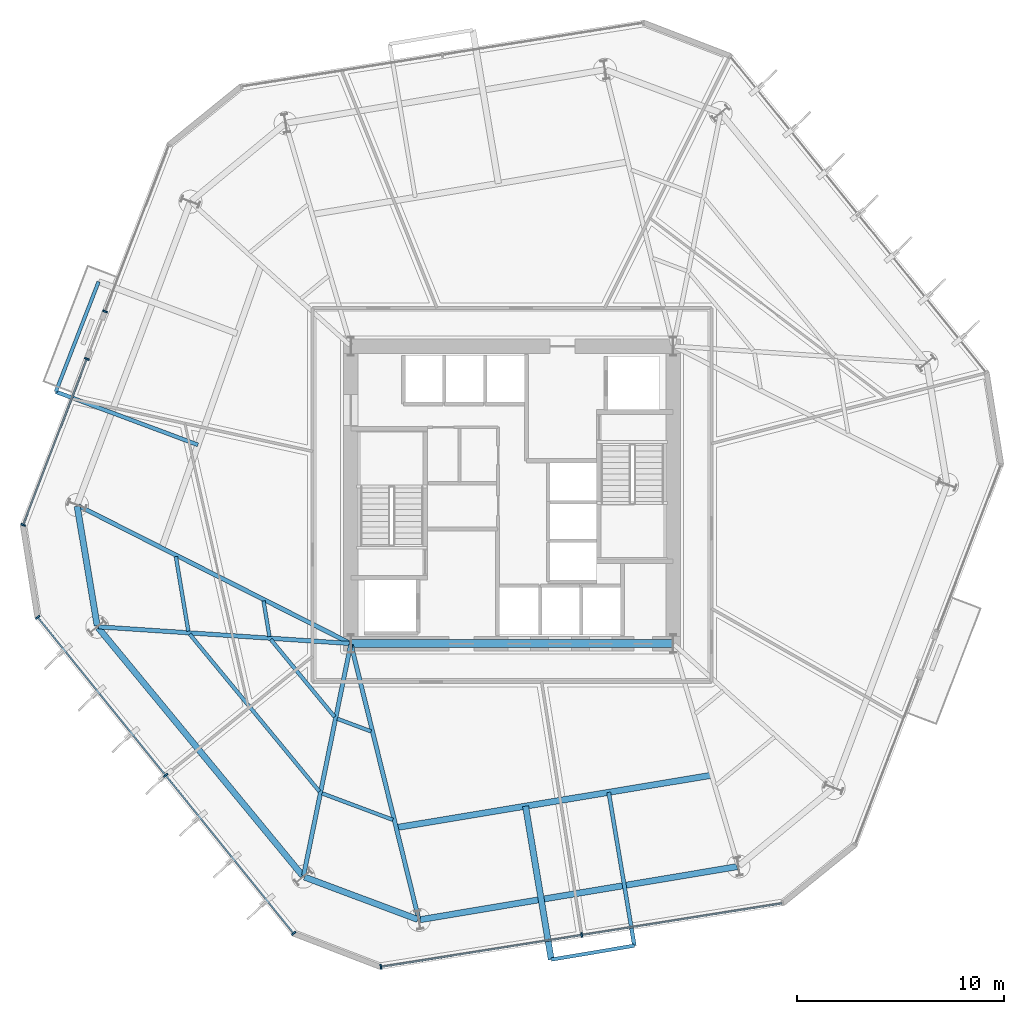
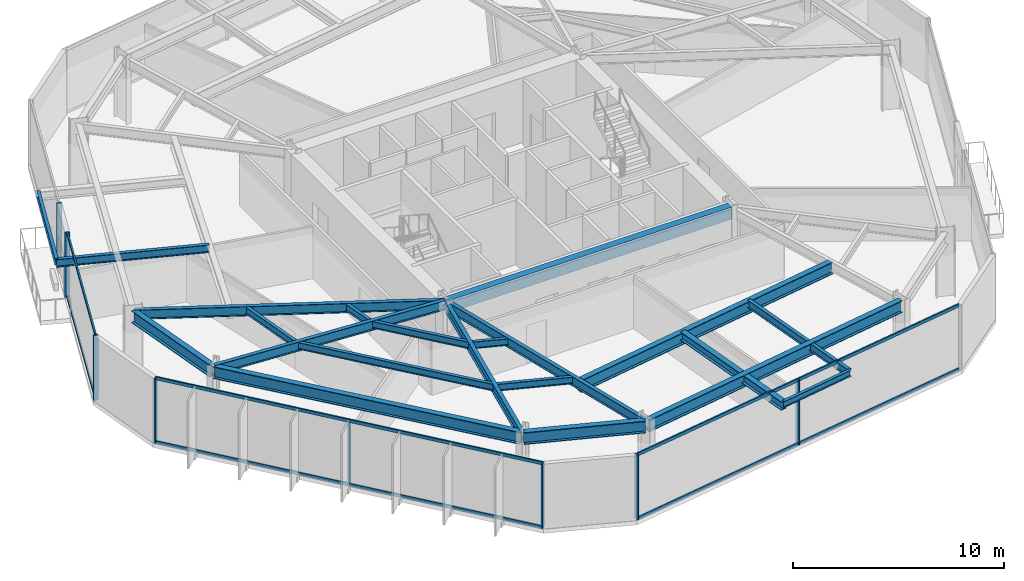
# One storey, part 2 of 11: 21 beams, 18 members, 4 elements without a shape of their own.
"""IFC4 building model written with IfcOpenShell, lengths in metres."""

from ifc_helpers import new_model, si_unit, direction, frame, origin, origin_2d, place, context, subcontext, project, spatial, rectangle, i_section, extrude, material, layer, layer_set, material_profile, profile_set, type_object, element, aggregate, save


model = new_model("IFC4")

# Units and contexts
model_context = context("Model", 3, precision=1e-05, world=origin(), true_north=direction((0.0, 1.0)))
body_context = subcontext(model_context, "Body", "Model", "MODEL_VIEW")
ifc_project = project(units=[si_unit("LENGTHUNIT", "METRE"), si_unit("AREAUNIT", "SQUARE_METRE"), si_unit("VOLUMEUNIT", "CUBIC_METRE"), si_unit("PLANEANGLEUNIT", "RADIAN"), si_unit("MASSUNIT", "GRAM", prefix="KILO")], contexts=[model_context])

# Site, building, storey
site_placement = place(None, origin())
site = spatial("IfcSite", under=ifc_project, at=site_placement, CompositionType="ELEMENT")
building_placement = place(site_placement, origin())
building = spatial("IfcBuilding", under=site, at=building_placement, Name="Kranzbogen Civic Tower", CompositionType="ELEMENT")
storey_placement = place(building_placement, frame((0.0, 0.0, 56.0)))
storey = spatial("IfcBuildingStorey", under=building, at=storey_placement, Name="L13", CompositionType="ELEMENT", Elevation=56.0)

# Beams
ifc_material_1 = material(Name="Steel S355", Category="steel")
ifc_material_profile_1 = material_profile(ifc_material_1, i_section(OverallWidth=0.18994140625, OverallDepth=0.449951171875, WebThickness=0.009521484375, FlangeThickness=0.0146484375, at=origin_2d()), Name="IPE 450")
ifc_profile_set_1 = profile_set([ifc_material_profile_1], Name="Steel S355")
beam_type_1 = type_object("IfcBeamType", Name="Braced Terrace Edge Beam IPE 450", PredefinedType="BEAM", material=ifc_profile_set_1)
beam_1_placement = place(storey_placement, frame((29.681884765625, 10.59912109375, 3.52490234375), z_axis=(0.165067088303, -0.986282341097, 0.0), x_axis=(0.986282341097, 0.165067088303, 0.0)))
element("IfcBeam", 1, at=beam_1_placement, inside=storey, type_object=beam_type_1, Name="L14 back-spanned terrace beam L14-TB1-2", PredefinedType="BEAM", context=body_context, shape_type="SweptSolid", body=[
    extrude(i_section(OverallWidth=0.18994140625, OverallDepth=0.449951171875, WebThickness=0.009521484375, FlangeThickness=0.0146484375, at=origin_2d()), origin(), (0.0, 0.0, 1.0), 7.525390625),
])
beam_2_placement = place(storey_placement, frame((9.800048828125, 27.41796875, 3.4951171875), z_axis=(-0.936720526199, 0.350078071003, 0.0), x_axis=(-0.350078071003, -0.936720526199, 0.0)))
element("IfcBeam", 2, at=beam_2_placement, inside=storey, type_object=beam_type_1, Name="L14 back-spanned terrace beam L14-ST-2", PredefinedType="BEAM", context=body_context, shape_type="SweptSolid", body=[
    extrude(i_section(OverallWidth=0.18994140625, OverallDepth=0.449951171875, WebThickness=0.009521484375, FlangeThickness=0.0146484375, at=origin_2d()), origin(), (0.0, 0.0, 1.0), 7.346923828125),
])
ifc_material_2 = material(Name="Concrete C40/50", Category="concrete")
ifc_material_profile_2 = material_profile(ifc_material_2, rectangle(XDim=0.39990234375, YDim=0.699951171875, at=origin_2d()), Name="RC-BM 400x700")
ifc_profile_set_2 = profile_set([ifc_material_profile_2], Name="Concrete C40/50")
beam_type_2 = type_object("IfcBeamType", Name="Core Coupling Lintel Beam 400x700", PredefinedType="LINTEL", material=ifc_profile_set_2)
beam_3_placement = place(storey_placement, frame((17.199951171875, 17.800048828125, 3.409912109375), z_axis=(1.0, 0.0, 0.0), x_axis=(0.0, 1.0, 0.0)))
element("IfcBeam", 3, at=beam_3_placement, inside=storey, type_object=beam_type_2, Name="L13 core South coupling lintel beam", PredefinedType="LINTEL", context=body_context, shape_type="SweptSolid", body=[
    extrude(rectangle(XDim=0.39990234375, YDim=0.699951171875, at=origin_2d()), origin(), (0.0, 0.0, 1.0), 15.60009765625),
])

# Curtain wall, member
ifc_material_3 = material(Name="Pale Anodised Aluminium", Category="aluminium")
ifc_layer = layer(ifc_material_3, 0.219970703125, Name="Pale Anodised Aluminium")
ifc_layer_set = layer_set([ifc_layer], Name="Pale Anodised Aluminium")
curtain_wall_type = type_object("IfcCurtainWallType", Name="Zone 1 Stick Curtain Wall System CW-02", PredefinedType="USERDEFINED", material=ifc_layer_set)
curtain_wall_1_placement = place(storey_placement, origin())
curtain_wall_1 = element("IfcCurtainWall", 4, at=curtain_wall_1_placement, inside=storey, type_object=curtain_wall_type, Name="L13 curtain wall CW-L13-F3-S1", ObjectType="STICK CURTAIN WALL", PredefinedType="USERDEFINED")
ifc_material_profile_3 = material_profile(ifc_material_3, rectangle(XDim=0.080078125, YDim=0.239990234375, at=origin_2d()), Name="ALU-M 80x240")
ifc_profile_set_3 = profile_set([ifc_material_profile_3], Name="Pale Anodised Aluminium")
member_type_1 = type_object("IfcMemberType", Name="Curtain Wall Mullion ALU-M 80x240", PredefinedType="MULLION", material=ifc_profile_set_3)
member_1_placement = place(storey_placement, frame((5.30078125, 33.87890625, 0.0), z_axis=(0.0, 0.0, 1.0), x_axis=(-0.358391745833, -0.93357129161, 0.0)))
member_1 = element("IfcMember", 5, at=member_1_placement, type_object=member_type_1, Name="CW-02 mullion 2", PredefinedType="MULLION", context=body_context, shape_type="SweptSolid", body=[
    extrude(rectangle(XDim=0.080078125, YDim=0.239990234375, at=origin_2d()), origin(), (0.0, 0.0, 1.0), 3.760009765625),
])
aggregate(curtain_wall_1, [member_1])

# Curtain wall, members
curtain_wall_2_placement = place(storey_placement, origin())
curtain_wall_2 = element("IfcCurtainWall", 6, at=curtain_wall_2_placement, inside=storey, type_object=curtain_wall_type, Name="L13 curtain wall CW-L13-F3-S2", ObjectType="STICK CURTAIN WALL", PredefinedType="USERDEFINED")
member_2_placement = place(storey_placement, frame((4.419189453125, 31.58203125, 0.0), z_axis=(0.0, 0.0, 1.0), x_axis=(-0.35832981626, -0.933595063601, 0.0)))
member_2 = element("IfcMember", 7, at=member_2_placement, type_object=member_type_1, Name="CW-02 mullion 1", PredefinedType="MULLION", context=body_context, shape_type="SweptSolid", body=[
    extrude(rectangle(XDim=0.080078125, YDim=0.239990234375, at=origin_2d()), origin(), (0.0, 0.0, 1.0), 3.760009765625),
])
member_3_placement = place(storey_placement, frame((1.333740234375, 23.54296875, 0.0), z_axis=(0.0, 0.0, 1.0), x_axis=(-0.35832981626, -0.933595063601, 0.0)))
member_3 = element("IfcMember", 8, at=member_3_placement, type_object=member_type_1, Name="CW-02 mullion 2", PredefinedType="MULLION", context=body_context, shape_type="SweptSolid", body=[
    extrude(rectangle(XDim=0.080078125, YDim=0.239990234375, at=origin_2d()), origin(), (0.0, 0.0, 1.0), 3.760009765625),
])

curtain_wall_3_placement = place(storey_placement, origin())
curtain_wall_3 = element("IfcCurtainWall", 9, at=curtain_wall_3_placement, inside=storey, type_object=curtain_wall_type, Name="L13 curtain wall CW-L13-F4", ObjectType="STICK CURTAIN WALL", PredefinedType="USERDEFINED")
member_4_placement = place(storey_placement, frame((2.0419921875, 19.07275390625, 0.0), z_axis=(0.0, 0.0, 1.0), x_axis=(0.629255050274, -0.777198868826, 0.0)))
member_4 = element("IfcMember", 10, at=member_4_placement, type_object=member_type_1, Name="CW-02 mullion 1", PredefinedType="MULLION", context=body_context, shape_type="SweptSolid", body=[
    extrude(rectangle(XDim=0.080078125, YDim=0.239990234375, at=origin_2d()), origin(), (0.0, 0.0, 1.0), 3.760009765625),
])
member_5_placement = place(storey_placement, frame((8.235107421875, 11.423583984375, 0.0), z_axis=(0.0, 0.0, 1.0), x_axis=(0.629255050274, -0.777198868826, 0.0)))
member_5 = element("IfcMember", 11, at=member_5_placement, type_object=member_type_1, Name="CW-02 mullion 2", PredefinedType="MULLION", context=body_context, shape_type="SweptSolid", body=[
    extrude(rectangle(XDim=0.080078125, YDim=0.239990234375, at=origin_2d()), origin(), (0.0, 0.0, 1.0), 3.760009765625),
])
member_6_placement = place(storey_placement, frame((14.42822265625, 3.7744140625, 0.0), z_axis=(0.0, 0.0, 1.0), x_axis=(0.629255050274, -0.777198868826, 0.0)))
member_6 = element("IfcMember", 12, at=member_6_placement, type_object=member_type_1, Name="CW-02 mullion 3", PredefinedType="MULLION", context=body_context, shape_type="SweptSolid", body=[
    extrude(rectangle(XDim=0.080078125, YDim=0.239990234375, at=origin_2d()), origin(), (0.0, 0.0, 1.0), 3.760009765625),
])

curtain_wall_4_placement = place(storey_placement, origin())
curtain_wall_4 = element("IfcCurtainWall", 13, at=curtain_wall_4_placement, inside=storey, type_object=curtain_wall_type, Name="L13 curtain wall CW-L13-F5", ObjectType="STICK CURTAIN WALL", PredefinedType="USERDEFINED")
member_7_placement = place(storey_placement, frame((18.653564453125, 2.15380859375, 0.0), z_axis=(0.0, 0.0, 1.0), x_axis=(0.987686880029, 0.156443686412, 0.0)))
member_7 = element("IfcMember", 14, at=member_7_placement, type_object=member_type_1, Name="CW-02 mullion 1", PredefinedType="MULLION", context=body_context, shape_type="SweptSolid", body=[
    extrude(rectangle(XDim=0.080078125, YDim=0.239990234375, at=origin_2d()), origin(), (0.0, 0.0, 1.0), 3.760009765625),
])
member_8_placement = place(storey_placement, frame((28.375, 3.693603515625, 0.0), z_axis=(0.0, 0.0, 1.0), x_axis=(0.987686880029, 0.156443686412, 0.0)))
member_8 = element("IfcMember", 15, at=member_8_placement, type_object=member_type_1, Name="CW-02 mullion 2", PredefinedType="MULLION", context=body_context, shape_type="SweptSolid", body=[
    extrude(rectangle(XDim=0.080078125, YDim=0.239990234375, at=origin_2d()), origin(), (0.0, 0.0, 1.0), 3.760009765625),
])

# Member
ifc_material_profile_4 = material_profile(ifc_material_3, rectangle(XDim=0.080078125, YDim=0.179931640625, at=origin_2d()), Name="ALU-T 80x180")
ifc_profile_set_4 = profile_set([ifc_material_profile_4], Name="Pale Anodised Aluminium")
member_type_2 = type_object("IfcMemberType", Name="Curtain Wall Transom ALU-T 80x180", PredefinedType="USERDEFINED", material=ifc_profile_set_4)
member_9_placement = place(storey_placement, frame((4.408447265625, 31.553955078125, 0.030029296875), z_axis=(-0.358328475889, -0.933595578057, 0.0), x_axis=(0.933595578057, -0.358328475889, 0.0)))
member_9 = element("IfcMember", 16, at=member_9_placement, type_object=member_type_2, Name="CW-02 transom 1.1", ObjectType="TRANSOM", PredefinedType="USERDEFINED", context=body_context, shape_type="SweptSolid", body=[
    extrude(rectangle(XDim=0.080078125, YDim=0.179931640625, at=origin_2d()), origin(), (0.0, 0.0, 1.0), 8.55078125),
])

member_10_placement = place(storey_placement, frame((4.408447265625, 31.553955078125, 3.72998046875), z_axis=(-0.358328475889, -0.933595578057, 0.0), x_axis=(0.933595578057, -0.358328475889, 0.0)))
member_10 = element("IfcMember", 17, at=member_10_placement, type_object=member_type_2, Name="CW-02 transom 1.2", ObjectType="TRANSOM", PredefinedType="USERDEFINED", context=body_context, shape_type="SweptSolid", body=[
    extrude(rectangle(XDim=0.080078125, YDim=0.179931640625, at=origin_2d()), origin(), (0.0, 0.0, 1.0), 8.55078125),
])

aggregate(curtain_wall_2, [member_2, member_3, member_9, member_10])

member_11_placement = place(storey_placement, frame((2.060791015625, 19.04931640625, 0.030029296875), z_axis=(0.629249921832, -0.777203021015, 0.0), x_axis=(0.777203021015, 0.629249921832, 0.0)))
member_11 = element("IfcMember", 18, at=member_11_placement, type_object=member_type_2, Name="CW-02 transom 1.1", ObjectType="TRANSOM", PredefinedType="USERDEFINED", context=body_context, shape_type="SweptSolid", body=[
    extrude(rectangle(XDim=0.080078125, YDim=0.179931640625, at=origin_2d()), origin(), (0.0, 0.0, 1.0), 9.781982421875),
])

member_12_placement = place(storey_placement, frame((2.060791015625, 19.04931640625, 3.72998046875), z_axis=(0.629249921832, -0.777203021015, 0.0), x_axis=(0.777203021015, 0.629249921832, 0.0)))
member_12 = element("IfcMember", 19, at=member_12_placement, type_object=member_type_2, Name="CW-02 transom 1.2", ObjectType="TRANSOM", PredefinedType="USERDEFINED", context=body_context, shape_type="SweptSolid", body=[
    extrude(rectangle(XDim=0.080078125, YDim=0.179931640625, at=origin_2d()), origin(), (0.0, 0.0, 1.0), 9.781982421875),
])

member_13_placement = place(storey_placement, frame((8.25390625, 11.400146484375, 0.030029296875), z_axis=(0.629249921832, -0.777203021015, 0.0), x_axis=(0.777203021015, 0.629249921832, 0.0)))
member_13 = element("IfcMember", 20, at=member_13_placement, type_object=member_type_2, Name="CW-02 transom 2.1", ObjectType="TRANSOM", PredefinedType="USERDEFINED", context=body_context, shape_type="SweptSolid", body=[
    extrude(rectangle(XDim=0.080078125, YDim=0.179931640625, at=origin_2d()), origin(), (0.0, 0.0, 1.0), 9.781982421875),
])

member_14_placement = place(storey_placement, frame((8.25390625, 11.400146484375, 3.72998046875), z_axis=(0.629249921832, -0.777203021015, 0.0), x_axis=(0.777203021015, 0.629249921832, 0.0)))
member_14 = element("IfcMember", 21, at=member_14_placement, type_object=member_type_2, Name="CW-02 transom 2.2", ObjectType="TRANSOM", PredefinedType="USERDEFINED", context=body_context, shape_type="SweptSolid", body=[
    extrude(rectangle(XDim=0.080078125, YDim=0.179931640625, at=origin_2d()), origin(), (0.0, 0.0, 1.0), 9.781982421875),
])

aggregate(curtain_wall_3, [member_4, member_5, member_6, member_11, member_12, member_13, member_14])

member_15_placement = place(storey_placement, frame((18.683349609375, 2.158447265625, 0.030029296875), z_axis=(0.987689198973, 0.15642904536, 0.0), x_axis=(-0.15642904536, 0.987689198973, 0.0)))
member_15 = element("IfcMember", 22, at=member_15_placement, type_object=member_type_2, Name="CW-02 transom 1.1", ObjectType="TRANSOM", PredefinedType="USERDEFINED", context=body_context, shape_type="SweptSolid", body=[
    extrude(rectangle(XDim=0.080078125, YDim=0.179931640625, at=origin_2d()), origin(), (0.0, 0.0, 1.0), 9.782470703125),
])

member_16_placement = place(storey_placement, frame((18.683349609375, 2.158447265625, 3.72998046875), z_axis=(0.987689198973, 0.15642904536, 0.0), x_axis=(-0.15642904536, 0.987689198973, 0.0)))
member_16 = element("IfcMember", 23, at=member_16_placement, type_object=member_type_2, Name="CW-02 transom 1.2", ObjectType="TRANSOM", PredefinedType="USERDEFINED", context=body_context, shape_type="SweptSolid", body=[
    extrude(rectangle(XDim=0.080078125, YDim=0.179931640625, at=origin_2d()), origin(), (0.0, 0.0, 1.0), 9.782470703125),
])

member_17_placement = place(storey_placement, frame((28.404541015625, 3.6982421875, 0.030029296875), z_axis=(0.987689198973, 0.15642904536, 0.0), x_axis=(-0.15642904536, 0.987689198973, 0.0)))
member_17 = element("IfcMember", 24, at=member_17_placement, type_object=member_type_2, Name="CW-02 transom 2.1", ObjectType="TRANSOM", PredefinedType="USERDEFINED", context=body_context, shape_type="SweptSolid", body=[
    extrude(rectangle(XDim=0.080078125, YDim=0.179931640625, at=origin_2d()), origin(), (0.0, 0.0, 1.0), 9.782470703125),
])

member_18_placement = place(storey_placement, frame((28.404541015625, 3.6982421875, 3.72998046875), z_axis=(0.987689198973, 0.15642904536, 0.0), x_axis=(-0.15642904536, 0.987689198973, 0.0)))
member_18 = element("IfcMember", 25, at=member_18_placement, type_object=member_type_2, Name="CW-02 transom 2.2", ObjectType="TRANSOM", PredefinedType="USERDEFINED", context=body_context, shape_type="SweptSolid", body=[
    extrude(rectangle(XDim=0.080078125, YDim=0.179931640625, at=origin_2d()), origin(), (0.0, 0.0, 1.0), 9.782470703125),
])

aggregate(curtain_wall_4, [member_7, member_8, member_15, member_16, member_17, member_18])

# Beams
ifc_material_profile_5 = material_profile(ifc_material_1, i_section(OverallWidth=0.300048828125, OverallDepth=0.5, WebThickness=0.014404296875, FlangeThickness=0.028076171875, at=origin_2d()), Name="HEB 500")
ifc_profile_set_5 = profile_set([ifc_material_profile_5], Name="Steel S355")
beam_type_3 = type_object("IfcBeamType", Name="Perimeter Tube Spandrel Beam HEB 500", PredefinedType="SPANDREL", material=ifc_profile_set_5)
beam_4_placement = place(storey_placement, frame((25.656982421875, 9.929931640625, 3.5), z_axis=(0.165013923872, -0.986291237378, 0.0), x_axis=(0.986291237378, 0.165013923872, 0.0)))
element("IfcBeam", 26, at=beam_4_placement, inside=storey, type_object=beam_type_3, Name="L14 back-spanned terrace beam L14-TB1-1", PredefinedType="SPANDREL", context=body_context, shape_type="SweptSolid", body=[
    extrude(i_section(OverallWidth=0.300048828125, OverallDepth=0.5, WebThickness=0.014404296875, FlangeThickness=0.028076171875, at=origin_2d()), origin(), (0.0, 0.0, 1.0), 7.5322265625),
])
ifc_material_profile_6 = material_profile(ifc_material_1, i_section(OverallWidth=0.300048828125, OverallDepth=0.699951171875, WebThickness=0.01708984375, FlangeThickness=0.031982421875, at=origin_2d()), Name="HEB 700")
ifc_profile_set_6 = profile_set([ifc_material_profile_6], Name="Steel S355")
beam_type_4 = type_object("IfcBeamType", Name="Perimeter Tube Spandrel Beam HEB 700", PredefinedType="SPANDREL", material=ifc_profile_set_6)
beam_5_placement = place(storey_placement, frame((3.952880859375, 24.445068359375, 3.409912109375), z_axis=(0.164913116942, -0.986308097838, 0.0), x_axis=(0.986308097838, 0.164913116942, 0.0)))
element("IfcBeam", 27, at=beam_5_placement, inside=storey, type_object=beam_type_4, Name="L13 perimeter spandrel beam 01", PredefinedType="SPANDREL", context=body_context, shape_type="SweptSolid", body=[
    extrude(i_section(OverallWidth=0.300048828125, OverallDepth=0.699951171875, WebThickness=0.01708984375, FlangeThickness=0.031982421875, at=origin_2d()), origin(), (0.0, 0.0, 1.0), 5.85205078125),
])
beam_6_placement = place(storey_placement, frame((4.966064453125, 18.568115234375, 3.409912109375), z_axis=(0.636074572579, -0.771627590304, 0.0), x_axis=(0.771627590304, 0.636074572579, 0.0)))
element("IfcBeam", 28, at=beam_6_placement, inside=storey, type_object=beam_type_4, Name="L13 perimeter spandrel beam 02", PredefinedType="SPANDREL", context=body_context, shape_type="SweptSolid", body=[
    extrude(i_section(OverallWidth=0.300048828125, OverallDepth=0.699951171875, WebThickness=0.01708984375, FlangeThickness=0.031982421875, at=origin_2d()), origin(), (0.0, 0.0, 1.0), 15.5595703125),
])
beam_7_placement = place(storey_placement, frame((14.95703125, 6.4951171875, 3.409912109375), z_axis=(0.936647646965, -0.350273015568, 0.0), x_axis=(0.350273015568, 0.936647646965, 0.0)))
element("IfcBeam", 29, at=beam_7_placement, inside=storey, type_object=beam_type_4, Name="L13 perimeter spandrel beam 03", PredefinedType="SPANDREL", context=body_context, shape_type="SweptSolid", body=[
    extrude(i_section(OverallWidth=0.300048828125, OverallDepth=0.699951171875, WebThickness=0.01708984375, FlangeThickness=0.031982421875, at=origin_2d()), origin(), (0.0, 0.0, 1.0), 5.852783203125),
])
beam_8_placement = place(storey_placement, frame((20.553955078125, 4.43408203125, 3.409912109375), z_axis=(0.986285563243, 0.165047834697, 0.0), x_axis=(-0.165047834697, 0.986285563243, 0.0)))
element("IfcBeam", 30, at=beam_8_placement, inside=storey, type_object=beam_type_4, Name="L13 perimeter spandrel beam 04", PredefinedType="SPANDREL", context=body_context, shape_type="SweptSolid", body=[
    extrude(i_section(OverallWidth=0.300048828125, OverallDepth=0.699951171875, WebThickness=0.01708984375, FlangeThickness=0.031982421875, at=origin_2d()), origin(), (0.0, 0.0, 1.0), 15.558349609375),
])
beam_9_placement = place(storey_placement, frame((19.39501953125, 8.889892578125, 3.39990234375), z_axis=(0.9864781902, 0.163892587571, 0.0), x_axis=(-0.163892587571, 0.9864781902, 0.0)))
element("IfcBeam", 31, at=beam_9_placement, inside=storey, type_object=beam_type_4, Name="L14 balcony back-span header girder L14-TB1", PredefinedType="SPANDREL", context=body_context, shape_type="SweptSolid", body=[
    extrude(i_section(OverallWidth=0.300048828125, OverallDepth=0.699951171875, WebThickness=0.01708984375, FlangeThickness=0.031982421875, at=origin_2d()), origin(), (0.0, 0.0, 1.0), 15.480224609375),
])
ifc_material_profile_7 = material_profile(ifc_material_1, i_section(OverallWidth=0.2099609375, OverallDepth=0.550048828125, WebThickness=0.010986328125, FlangeThickness=0.01708984375, at=origin_2d()), Name="IPE 550")
ifc_profile_set_7 = profile_set([ifc_material_profile_7], Name="Steel S355")
beam_type_5 = type_object("IfcBeamType", Name="Radial Tower Floor Girder IPE 550", PredefinedType="BEAM", material=ifc_profile_set_7)
beam_10_placement = place(storey_placement, frame((3.9970703125, 24.47705078125, 3.485107421875), z_axis=(0.892363219254, -0.451317942168, 0.0), x_axis=(0.451317942168, 0.892363219254, 0.0)))
element("IfcBeam", 32, at=beam_10_placement, inside=storey, type_object=beam_type_5, Name="L13 radial floor girder 01", PredefinedType="BEAM", context=body_context, shape_type="SweptSolid", body=[
    extrude(i_section(OverallWidth=0.2099609375, OverallDepth=0.550048828125, WebThickness=0.010986328125, FlangeThickness=0.01708984375, at=origin_2d()), origin(), (0.0, 0.0, 1.0), 14.73486328125),
])
beam_11_placement = place(storey_placement, frame((4.988037109375, 18.610107421875, 3.485107421875), z_axis=(0.99780674843, -0.066194356156, 0.0), x_axis=(0.066194356156, 0.99780674843, 0.0)))
element("IfcBeam", 33, at=beam_11_placement, inside=storey, type_object=beam_type_5, Name="L13 radial floor girder 02", PredefinedType="BEAM", context=body_context, shape_type="SweptSolid", body=[
    extrude(i_section(OverallWidth=0.2099609375, OverallDepth=0.550048828125, WebThickness=0.010986328125, FlangeThickness=0.01708984375, at=origin_2d()), origin(), (0.0, 0.0, 1.0), 12.178466796875),
])
beam_12_placement = place(storey_placement, frame((14.9130859375, 6.574951171875, 3.485107421875), z_axis=(0.199633433694, 0.979870650725, 0.0), x_axis=(-0.979870650725, 0.199633433694, 0.0)))
element("IfcBeam", 34, at=beam_12_placement, inside=storey, type_object=beam_type_5, Name="L13 radial floor girder 03", PredefinedType="BEAM", context=body_context, shape_type="SweptSolid", body=[
    extrude(i_section(OverallWidth=0.2099609375, OverallDepth=0.550048828125, WebThickness=0.010986328125, FlangeThickness=0.01708984375, at=origin_2d()), origin(), (0.0, 0.0, 1.0), 11.3955078125),
])
beam_13_placement = place(storey_placement, frame((20.48095703125, 4.48193359375, 3.485107421875), z_axis=(-0.239215348776, 0.970966537482, 0.0), x_axis=(-0.970966537482, -0.239215348776, 0.0)))
element("IfcBeam", 35, at=beam_13_placement, inside=storey, type_object=beam_type_5, Name="L13 radial floor girder 04", PredefinedType="BEAM", context=body_context, shape_type="SweptSolid", body=[
    extrude(i_section(OverallWidth=0.2099609375, OverallDepth=0.550048828125, WebThickness=0.010986328125, FlangeThickness=0.01708984375, at=origin_2d()), origin(), (0.0, 0.0, 1.0), 13.656494140625),
])
ifc_material_profile_8 = material_profile(ifc_material_1, i_section(OverallWidth=0.169921875, OverallDepth=0.360107421875, WebThickness=0.008056640625, FlangeThickness=0.0126953125, at=origin_2d()), Name="IPE 360")
ifc_profile_set_8 = profile_set([ifc_material_profile_8], Name="Steel S355")
beam_type_6 = type_object("IfcBeamType", Name="Secondary Composite Floor Joist IPE 360", PredefinedType="JOIST", material=ifc_profile_set_8)
beam_14_placement = place(storey_placement, frame((26.89990234375, 2.5009765625, 3.570068359375), z_axis=(0.986181273718, 0.165669838435, 0.0), x_axis=(-0.165669838435, 0.986181273718, 0.0)))
element("IfcBeam", 36, at=beam_14_placement, inside=storey, type_object=beam_type_6, Name="L14 terrace outer edge trimmer L14-TB1", PredefinedType="JOIST", context=body_context, shape_type="SweptSolid", body=[
    extrude(i_section(OverallWidth=0.169921875, OverallDepth=0.360107421875, WebThickness=0.008056640625, FlangeThickness=0.0126953125, at=origin_2d()), origin(), (0.0, 0.0, 1.0), 4.08056640625),
])
beam_15_placement = place(storey_placement, frame((4.988037109375, 35.31494140625, 3.5400390625), z_axis=(-0.362332838528, -0.932048772396, 0.0), x_axis=(0.932048772396, -0.362332838528, 0.0)))
element("IfcBeam", 37, at=beam_15_placement, inside=storey, type_object=beam_type_6, Name="L14 terrace outer edge trimmer L14-ST", PredefinedType="JOIST", context=body_context, shape_type="SweptSolid", body=[
    extrude(i_section(OverallWidth=0.169921875, OverallDepth=0.360107421875, WebThickness=0.008056640625, FlangeThickness=0.0126953125, at=origin_2d()), origin(), (0.0, 0.0, 1.0), 5.713134765625),
])
ifc_material_profile_9 = material_profile(ifc_material_1, i_section(OverallWidth=0.179931640625, OverallDepth=0.39990234375, WebThickness=0.008544921875, FlangeThickness=0.013427734375, at=origin_2d()), Name="IPE 400")
ifc_profile_set_9 = profile_set([ifc_material_profile_9], Name="Steel S355")
beam_type_7 = type_object("IfcBeamType", Name="Secondary Composite Floor Joist IPE 400", PredefinedType="JOIST", material=ifc_profile_set_9)
beam_16_placement = place(storey_placement, frame((8.72900390625, 22.011962890625, 3.56005859375), z_axis=(0.164928678379, -0.986305495802, 0.0), x_axis=(0.986305495802, 0.164928678379, 0.0)))
element("IfcBeam", 38, at=beam_16_placement, inside=storey, type_object=beam_type_7, Name="L13 secondary floor joist 1.01", PredefinedType="JOIST", context=body_context, shape_type="SweptSolid", body=[
    extrude(i_section(OverallWidth=0.179931640625, OverallDepth=0.39990234375, WebThickness=0.008544921875, FlangeThickness=0.013427734375, at=origin_2d()), origin(), (0.0, 0.0, 1.0), 3.662109375),
])
beam_17_placement = place(storey_placement, frame((12.970947265625, 19.865966796875, 3.56005859375), z_axis=(0.165077224104, -0.986280644686, 0.0), x_axis=(0.986280644686, 0.165077224104, 0.0)))
element("IfcBeam", 39, at=beam_17_placement, inside=storey, type_object=beam_type_7, Name="L13 secondary floor joist 2.01", PredefinedType="JOIST", context=body_context, shape_type="SweptSolid", body=[
    extrude(i_section(OverallWidth=0.179931640625, OverallDepth=0.39990234375, WebThickness=0.008544921875, FlangeThickness=0.013427734375, at=origin_2d()), origin(), (0.0, 0.0, 1.0), 1.7509765625),
])
beam_18_placement = place(storey_placement, frame((9.39697265625, 18.259033203125, 3.56005859375), z_axis=(0.636094561772, -0.771611112209, 0.0), x_axis=(0.771611112209, 0.636094561772, 0.0)))
element("IfcBeam", 40, at=beam_18_placement, inside=storey, type_object=beam_type_7, Name="L13 secondary floor joist 1.02", PredefinedType="JOIST", context=body_context, shape_type="SweptSolid", body=[
    extrude(i_section(OverallWidth=0.179931640625, OverallDepth=0.39990234375, WebThickness=0.008544921875, FlangeThickness=0.013427734375, at=origin_2d()), origin(), (0.0, 0.0, 1.0), 9.874267578125),
])
beam_19_placement = place(storey_placement, frame((13.323974609375, 17.9990234375, 3.56005859375), z_axis=(0.636012010413, -0.771679157818, 0.0), x_axis=(0.771679157818, 0.636012010413, 0.0)))
element("IfcBeam", 41, at=beam_19_placement, inside=storey, type_object=beam_type_7, Name="L13 secondary floor joist 2.02", PredefinedType="JOIST", context=body_context, shape_type="SweptSolid", body=[
    extrude(i_section(OverallWidth=0.179931640625, OverallDepth=0.39990234375, WebThickness=0.008544921875, FlangeThickness=0.013427734375, at=origin_2d()), origin(), (0.0, 0.0, 1.0), 4.85693359375),
])
beam_20_placement = place(storey_placement, frame((15.803955078125, 10.550048828125, 3.56005859375), z_axis=(0.936622008794, -0.350341565678, 0.0), x_axis=(0.350341565678, 0.936622008794, 0.0)))
element("IfcBeam", 42, at=beam_20_placement, inside=storey, type_object=beam_type_7, Name="L13 secondary floor joist 1.03", PredefinedType="JOIST", context=body_context, shape_type="SweptSolid", body=[
    extrude(i_section(OverallWidth=0.179931640625, OverallDepth=0.39990234375, WebThickness=0.008544921875, FlangeThickness=0.013427734375, at=origin_2d()), origin(), (0.0, 0.0, 1.0), 3.662109375),
])
beam_21_placement = place(storey_placement, frame((16.5390625, 14.160888671875, 3.56005859375), z_axis=(0.936735458815, -0.350038112495, 0.0), x_axis=(0.350038112495, 0.936735458815, 0.0)))
element("IfcBeam", 43, at=beam_21_placement, inside=storey, type_object=beam_type_7, Name="L13 secondary floor joist 2.03", PredefinedType="JOIST", context=body_context, shape_type="SweptSolid", body=[
    extrude(i_section(OverallWidth=0.179931640625, OverallDepth=0.39990234375, WebThickness=0.008544921875, FlangeThickness=0.013427734375, at=origin_2d()), origin(), (0.0, 0.0, 1.0), 1.750732421875),
])

save(model, "model.ifc")
